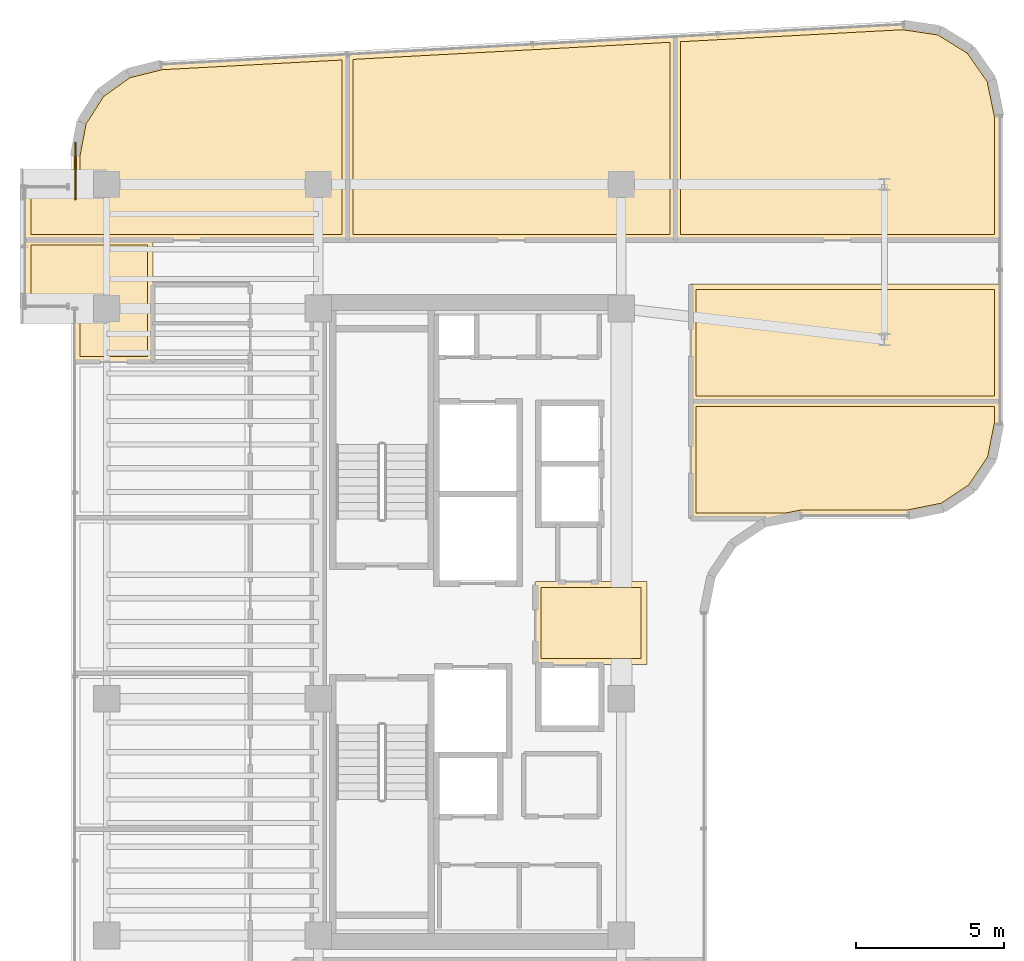
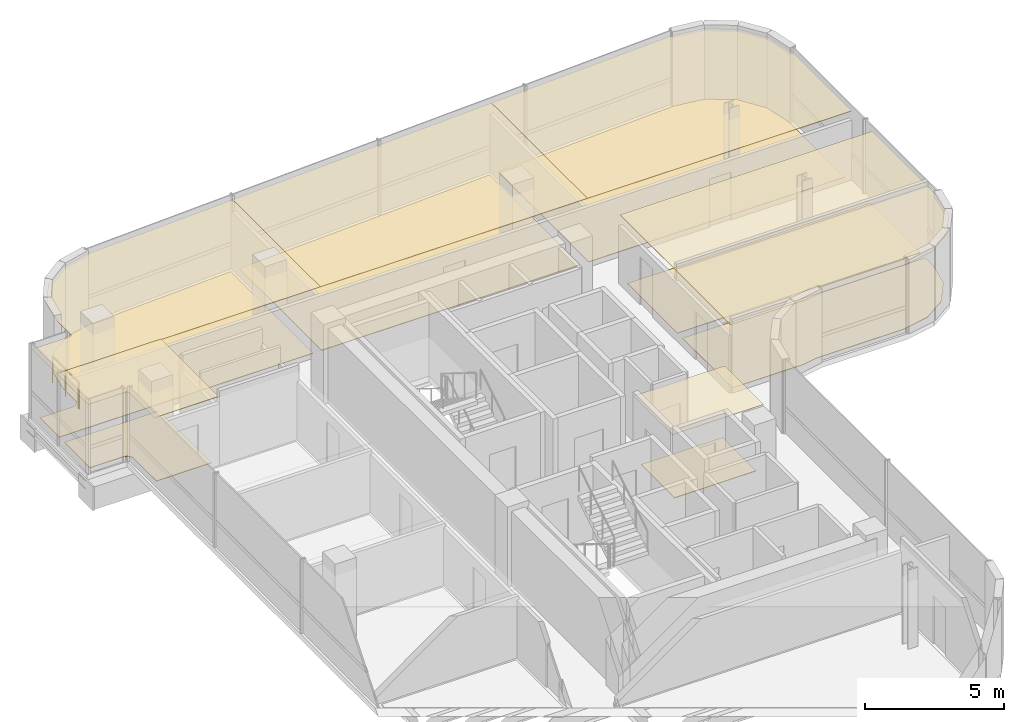
# One storey, part 21 of 21: 14 coverings, 1 railing.
"""IFC4 building model written with IfcOpenShell, lengths in metres."""

from ifc_helpers import new_model, si_unit, direction, frame, origin, origin_2d, place, context, subcontext, project, spatial, polyline, circle, outline, extrude, material, layer, layer_set, type_object, element, save


model = new_model("IFC4")

# Units and contexts
model_context = context("Model", 3, precision=1e-05, world=origin(), true_north=direction((0.0, 1.0)))
body_context = subcontext(model_context, "Body", "Model", "MODEL_VIEW")
ifc_project = project(units=[si_unit("LENGTHUNIT", "METRE"), si_unit("AREAUNIT", "SQUARE_METRE"), si_unit("VOLUMEUNIT", "CUBIC_METRE"), si_unit("PLANEANGLEUNIT", "RADIAN"), si_unit("MASSUNIT", "GRAM", prefix="KILO")], contexts=[model_context])

# Site, building, storey
site_placement = place(None, origin())
site = spatial("IfcSite", under=ifc_project, at=site_placement, CompositionType="ELEMENT")
building_placement = place(site_placement, origin())
building = spatial("IfcBuilding", under=site, at=building_placement, Name="Valdorenza Pilgrim Sanctuary Tower", CompositionType="ELEMENT")
storey_placement = place(building_placement, frame((0.0, 0.0, 223.0)))
storey = spatial("IfcBuildingStorey", under=building, at=storey_placement, Name="L57", CompositionType="ELEMENT", Elevation=223.0)

# Coverings
ifc_material_1 = material(Name="Micro-perforated acoustic mineral ceiling tile", Category="gypsum")
ifc_layer_1 = layer(ifc_material_1, 0.02490234375, Name="Micro-perforated acoustic mineral ceiling tile")
ifc_layer_set_1 = layer_set([ifc_layer_1], Name="Micro-perforated acoustic mineral ceiling tile")
covering_type_1 = type_object("IfcCoveringType", Name="COV-CLG-ACU", PredefinedType="CEILING", material=ifc_layer_set_1)
covering_1_placement = place(storey_placement, frame((0.0, 0.0, 2.9599609375)))
element("IfcCovering", 1, at=covering_1_placement, inside=storey, type_object=covering_type_1, Name="L57 Core A Passenger Lift Lobby Acoustic Ceiling", PredefinedType="CEILING", context=body_context, shape_type="SweptSolid", body=[
    extrude(outline(polyline([(-15.31494140625, 1.35009765625), (-15.31494140625, 1.3515625), (-15.314697265625, 1.352783203125), (-15.314453125, 1.3544921875), (-15.31396484375, 1.355712890625), (-15.313232421875, 1.357177734375), (-15.3125, 1.3583984375), (-15.3115234375, 1.359619140625), (-15.310546875, 1.360595703125), (-15.3095703125, 1.361572265625), (-15.308349609375, 1.362548828125), (-15.30712890625, 1.36328125), (-15.3056640625, 1.364013671875), (-15.304443359375, 1.364501953125), (-15.302978515625, 1.36474609375), (-15.301513671875, 1.364990234375), (-15.300048828125, 1.364990234375), (-11.550048828125, 1.364990234375), (-11.548583984375, 1.364990234375), (-11.547119140625, 1.36474609375), (-11.545654296875, 1.364501953125), (-11.544189453125, 1.364013671875), (-11.54296875, 1.36328125), (-11.541748046875, 1.362548828125), (-11.54052734375, 1.361572265625), (-11.539306640625, 1.360595703125), (-11.538330078125, 1.359619140625), (-11.53759765625, 1.3583984375), (-11.536865234375, 1.357177734375), (-11.5361328125, 1.355712890625), (-11.53564453125, 1.3544921875), (-11.535400390625, 1.352783203125), (-11.53515625, 1.3515625), (-11.534912109375, 1.35009765625), (-11.534912109375, -1.419921875), (-11.53515625, -1.42138671875), (-11.535400390625, -1.4228515625), (-11.53564453125, -1.42431640625), (-11.5361328125, -1.42578125), (-11.536865234375, -1.427001953125), (-11.53759765625, -1.42822265625), (-11.538330078125, -1.429443359375), (-11.539306640625, -1.4306640625), (-11.54052734375, -1.431640625), (-11.541748046875, -1.4326171875), (-11.54296875, -1.43310546875), (-11.544189453125, -1.433837890625), (-11.545654296875, -1.434326171875), (-11.547119140625, -1.434814453125), (-11.548583984375, -1.434814453125), (-11.550048828125, -1.43505859375), (-15.298095703125, -1.43505859375), (-15.299560546875, -1.434814453125), (-15.30078125, -1.434814453125), (-15.302490234375, -1.434326171875), (-15.3037109375, -1.433837890625), (-15.30517578125, -1.43310546875), (-15.306396484375, -1.4326171875), (-15.3076171875, -1.431640625), (-15.30859375, -1.4306640625), (-15.3095703125, -1.429443359375), (-15.310546875, -1.42822265625), (-15.311279296875, -1.427001953125), (-15.31201171875, -1.42578125), (-15.3125, -1.42431640625), (-15.312744140625, -1.4228515625), (-15.31298828125, -1.42138671875), (-15.31298828125, -1.419921875), (-15.31298828125, 1.244384765625), (-15.31298828125, 1.24462890625), (-15.313720703125, 1.24609375), (-15.314208984375, 1.24755859375), (-15.314697265625, 1.2490234375), (-15.31494140625, 1.25048828125), (-15.31494140625, 1.251953125), (-15.31494140625, 1.35009765625)])), origin(), (0.0, 0.0, 1.0), 0.025146484375),
])
covering_2_placement = place(storey_placement, frame((0.0, 0.0, 2.9599609375)))
element("IfcCovering", 2, at=covering_2_placement, inside=storey, type_object=covering_type_1, Name="L57 Pilgrim Scholar Office L57-WN Acoustic Ceiling", PredefinedType="CEILING", context=body_context, shape_type="SweptSolid", body=[
    extrude(outline(polyline([(-28.237060546875, 11.39453125), (-28.237060546875, 10.103759765625), (-28.23681640625, 10.10302734375), (-28.23681640625, 10.1015625), (-28.23681640625, 10.10009765625), (-28.23681640625, 10.098388671875), (-28.237060546875, 10.09814453125), (-28.237060546875, 8.800048828125), (-28.237060546875, 8.798583984375), (-28.2373046875, 8.797119140625), (-28.237548828125, 8.795654296875), (-28.238037109375, 8.794189453125), (-28.23876953125, 8.79296875), (-28.239501953125, 8.791748046875), (-28.240478515625, 8.79052734375), (-28.241455078125, 8.789306640625), (-28.242431640625, 8.788330078125), (-28.24365234375, 8.78759765625), (-28.244873046875, 8.786865234375), (-28.246337890625, 8.7861328125), (-28.24755859375, 8.78564453125), (-28.2490234375, 8.785400390625), (-28.25048828125, 8.78515625), (-28.251953125, 8.784912109375), (-30.889892578125, 8.784912109375), (-30.8916015625, 8.78515625), (-30.892822265625, 8.785400390625), (-30.894287109375, 8.78564453125), (-30.895751953125, 8.7861328125), (-30.897216796875, 8.786865234375), (-30.898193359375, 8.78759765625), (-30.8994140625, 8.788330078125), (-30.900634765625, 8.789306640625), (-30.901611328125, 8.79052734375), (-30.902587890625, 8.791748046875), (-30.9033203125, 8.79296875), (-30.90380859375, 8.794189453125), (-30.904296875, 8.795654296875), (-30.90478515625, 8.797119140625), (-30.90478515625, 8.798583984375), (-30.905029296875, 8.800048828125), (-30.905029296875, 10.599609375), (-30.905517578125, 10.609375), (-30.90673828125, 10.618408203125), (-30.9091796875, 10.627685546875), (-30.912109375, 10.63623046875), (-30.916259765625, 10.644775390625), (-30.9208984375, 10.65283203125), (-30.926513671875, 10.660400390625), (-30.932861328125, 10.667236328125), (-30.939697265625, 10.67333984375), (-30.947265625, 10.678955078125), (-30.955078125, 10.683837890625), (-30.963623046875, 10.687744140625), (-30.972412109375, 10.69091796875), (-30.9814453125, 10.693115234375), (-30.99072265625, 10.694580078125), (-31.00048828125, 10.695068359375), (-32.5400390625, 10.695068359375), (-32.54150390625, 10.695068359375), (-32.54296875, 10.6953125), (-32.54443359375, 10.695556640625), (-32.545654296875, 10.696044921875), (-32.547119140625, 10.69677734375), (-32.54833984375, 10.697509765625), (-32.549560546875, 10.698486328125), (-32.550537109375, 10.699462890625), (-32.551513671875, 10.700439453125), (-32.552490234375, 10.70166015625), (-32.55322265625, 10.702880859375), (-32.553955078125, 10.704345703125), (-32.554443359375, 10.70556640625), (-32.5546875, 10.70703125), (-32.554931640625, 10.70849609375), (-32.554931640625, 10.7099609375), (-32.554931640625, 12.919921875), (-32.554931640625, 12.92138671875), (-32.5546875, 12.9228515625), (-32.554443359375, 12.92431640625), (-32.553955078125, 12.92578125), (-32.55322265625, 12.927001953125), (-32.552490234375, 12.92822265625), (-32.551513671875, 12.929443359375), (-32.550537109375, 12.9306640625), (-32.549560546875, 12.931640625), (-32.54833984375, 12.9326171875), (-32.547119140625, 12.93310546875), (-32.545654296875, 12.933837890625), (-32.54443359375, 12.934326171875), (-32.54296875, 12.934814453125), (-32.54150390625, 12.934814453125), (-32.5400390625, 12.93505859375), (-28.25, 12.93505859375), (-28.24853515625, 12.934814453125), (-28.2470703125, 12.934814453125), (-28.24560546875, 12.934326171875), (-28.244384765625, 12.933837890625), (-28.242919921875, 12.93310546875), (-28.24169921875, 12.9326171875), (-28.240478515625, 12.931640625), (-28.239501953125, 12.9306640625), (-28.23828125, 12.929443359375), (-28.237548828125, 12.92822265625), (-28.23681640625, 12.927001953125), (-28.236083984375, 12.92578125), (-28.235595703125, 12.92431640625), (-28.2353515625, 12.9228515625), (-28.235107421875, 12.92138671875), (-28.235107421875, 12.919921875), (-28.235107421875, 11.402099609375), (-28.235107421875, 11.400390625), (-28.2353515625, 11.39892578125), (-28.235595703125, 11.3974609375), (-28.236083984375, 11.39599609375), (-28.23681640625, 11.394775390625), (-28.237060546875, 11.39453125)])), origin(), (0.0, 0.0, 1.0), 0.025146484375),
])
covering_3_placement = place(storey_placement, frame((0.0, 0.0, 2.9599609375)))
element("IfcCovering", 3, at=covering_3_placement, inside=storey, type_object=covering_type_1, Name="L57 Sanctuary Administration Office L57-N1 Acoustic Ceiling", PredefinedType="CEILING", context=body_context, shape_type="SweptSolid", body=[
    extrude(outline(polyline([(-28.25537109375, 12.906982421875), (-32.5400390625, 12.906982421875), (-32.54150390625, 12.906982421875), (-32.54296875, 12.9072265625), (-32.54443359375, 12.90771484375), (-32.545654296875, 12.908203125), (-32.547119140625, 12.90869140625), (-32.54833984375, 12.909423828125), (-32.549560546875, 12.910400390625), (-32.550537109375, 12.911376953125), (-32.551513671875, 12.91259765625), (-32.552490234375, 12.913818359375), (-32.55322265625, 12.914794921875), (-32.553955078125, 12.916259765625), (-32.554443359375, 12.91748046875), (-32.5546875, 12.919189453125), (-32.554931640625, 12.92041015625), (-32.554931640625, 12.922119140625), (-32.554931640625, 14.68994140625), (-32.554931640625, 14.69140625), (-32.5546875, 14.69287109375), (-32.554443359375, 14.6943359375), (-32.553955078125, 14.69580078125), (-32.55322265625, 14.697021484375), (-32.552490234375, 14.6982421875), (-32.551513671875, 14.699462890625), (-32.550537109375, 14.70068359375), (-32.549560546875, 14.70166015625), (-32.54833984375, 14.702392578125), (-32.547119140625, 14.703125), (-32.545654296875, 14.703857421875), (-32.54443359375, 14.704345703125), (-32.54296875, 14.70458984375), (-32.54150390625, 14.704833984375), (-32.5400390625, 14.705078125), (-31.00048828125, 14.705078125), (-30.99072265625, 14.70556640625), (-30.9814453125, 14.706787109375), (-30.972412109375, 14.708984375), (-30.963623046875, 14.712158203125), (-30.955078125, 14.71630859375), (-30.947265625, 14.720947265625), (-30.939697265625, 14.7265625), (-30.932861328125, 14.73291015625), (-30.926513671875, 14.73974609375), (-30.9208984375, 14.747314453125), (-30.916259765625, 14.755126953125), (-30.912109375, 14.763671875), (-30.9091796875, 14.7724609375), (-30.90673828125, 14.781494140625), (-30.905517578125, 14.790771484375), (-30.905029296875, 14.80029296875), (-30.905029296875, 15.757568359375), (-30.90478515625, 15.759033203125), (-30.90478515625, 15.760498046875), (-30.683349609375, 16.9140625), (-30.68310546875, 16.915283203125), (-30.6826171875, 16.916748046875), (-30.681884765625, 16.918212890625), (-30.681396484375, 16.919189453125), (-30.05419921875, 17.89990234375), (-30.053466796875, 17.901123046875), (-30.052490234375, 17.90234375), (-30.051513671875, 17.9033203125), (-30.05029296875, 17.904052734375), (-29.104736328125, 18.5830078125), (-29.103515625, 18.583740234375), (-29.102294921875, 18.58447265625), (-29.10107421875, 18.5849609375), (-29.099609375, 18.58544921875), (-27.959716796875, 18.86865234375), (-27.958251953125, 18.868896484375), (-27.956787109375, 18.869140625), (-21.660888671875, 19.208984375), (-21.659423828125, 19.208984375), (-21.657958984375, 19.208740234375), (-21.656494140625, 19.20849609375), (-21.6552734375, 19.2080078125), (-21.65380859375, 19.20751953125), (-21.652587890625, 19.206787109375), (-21.6513671875, 19.206298828125), (-21.650146484375, 19.205322265625), (-21.649169921875, 19.204345703125), (-21.648193359375, 19.203125), (-21.6474609375, 19.201904296875), (-21.646728515625, 19.20068359375), (-21.64599609375, 19.199462890625), (-21.6455078125, 19.1982421875), (-21.645263671875, 19.19677734375), (-21.64501953125, 19.1953125), (-21.64501953125, 19.19384765625), (-21.64501953125, 12.919921875), (-21.64501953125, 12.91845703125), (-21.645263671875, 12.9169921875), (-21.6455078125, 12.91552734375), (-21.64599609375, 12.914306640625), (-21.646728515625, 12.912841796875), (-21.6474609375, 12.91162109375), (-21.6484375, 12.910400390625), (-21.6494140625, 12.909423828125), (-21.650390625, 12.908447265625), (-21.651611328125, 12.907470703125), (-21.65283203125, 12.90673828125), (-21.654296875, 12.906005859375), (-21.655517578125, 12.905517578125), (-21.656982421875, 12.9052734375), (-21.658447265625, 12.905029296875), (-21.659912109375, 12.905029296875), (-28.248046875, 12.905029296875), (-28.24951171875, 12.905029296875), (-28.250732421875, 12.9052734375), (-28.252197265625, 12.905517578125), (-28.253662109375, 12.906005859375), (-28.2548828125, 12.90673828125), (-28.25537109375, 12.906982421875)])), origin(), (0.0, 0.0, 1.0), 0.025146484375),
])
covering_4_placement = place(storey_placement, frame((0.0, 0.0, 2.9599609375)))
element("IfcCovering", 4, at=covering_4_placement, inside=storey, type_object=covering_type_1, Name="L57 Sanctuary Administration Office L57-N2 Acoustic Ceiling", PredefinedType="CEILING", context=body_context, shape_type="SweptSolid", body=[
    extrude(outline(polyline([(-21.673095703125, 19.19384765625), (-21.673095703125, 19.19482421875), (-21.6728515625, 19.1962890625), (-21.672607421875, 19.19775390625), (-21.672119140625, 19.19921875), (-21.671630859375, 19.200439453125), (-21.6708984375, 19.20166015625), (-21.670166015625, 19.202880859375), (-21.669189453125, 19.2041015625), (-21.668212890625, 19.205078125), (-21.6669921875, 19.2060546875), (-21.665771484375, 19.206787109375), (-21.66455078125, 19.20751953125), (-21.6630859375, 19.2080078125), (-21.66162109375, 19.20849609375), (-21.660400390625, 19.208740234375), (-21.65869140625, 19.208984375), (-10.580810546875, 19.806884765625), (-10.579345703125, 19.806884765625), (-10.577880859375, 19.806640625), (-10.576416015625, 19.806396484375), (-10.5751953125, 19.80615234375), (-10.57373046875, 19.805419921875), (-10.572509765625, 19.804931640625), (-10.5712890625, 19.80419921875), (-10.5703125, 19.80322265625), (-10.569091796875, 19.80224609375), (-10.568115234375, 19.80126953125), (-10.5673828125, 19.800048828125), (-10.566650390625, 19.798828125), (-10.566162109375, 19.797607421875), (-10.565673828125, 19.796142578125), (-10.565185546875, 19.794677734375), (-10.565185546875, 19.793212890625), (-10.56494140625, 19.7919921875), (-10.56494140625, 12.919921875), (-10.565185546875, 12.91845703125), (-10.565185546875, 12.9169921875), (-10.565673828125, 12.91552734375), (-10.566162109375, 12.914306640625), (-10.56689453125, 12.912841796875), (-10.5673828125, 12.91162109375), (-10.568359375, 12.910400390625), (-10.5693359375, 12.909423828125), (-10.570556640625, 12.908447265625), (-10.57177734375, 12.907470703125), (-10.572998046875, 12.90673828125), (-10.57421875, 12.906005859375), (-10.57568359375, 12.905517578125), (-10.5771484375, 12.9052734375), (-10.57861328125, 12.905029296875), (-10.580078125, 12.905029296875), (-21.657958984375, 12.905029296875), (-21.659423828125, 12.905029296875), (-21.660888671875, 12.9052734375), (-21.662353515625, 12.905517578125), (-21.663818359375, 12.906005859375), (-21.6650390625, 12.90673828125), (-21.666259765625, 12.907470703125), (-21.66748046875, 12.908447265625), (-21.668701171875, 12.909423828125), (-21.669677734375, 12.910400390625), (-21.67041015625, 12.91162109375), (-21.671142578125, 12.912841796875), (-21.671875, 12.914306640625), (-21.67236328125, 12.91552734375), (-21.672607421875, 12.9169921875), (-21.6728515625, 12.91845703125), (-21.673095703125, 12.919921875), (-21.673095703125, 19.19384765625), (-21.673095703125, 19.19384765625)])), origin(), (0.0, 0.0, 1.0), 0.025146484375),
])
covering_5_placement = place(storey_placement, frame((0.0, 0.0, 2.9599609375)))
element("IfcCovering", 5, at=covering_5_placement, inside=storey, type_object=covering_type_1, Name="L57 Sanctuary Administration Office L57-N3 Acoustic Ceiling", PredefinedType="CEILING", context=body_context, shape_type="SweptSolid", body=[
    extrude(outline(polyline([(-10.593017578125, 19.7919921875), (-10.593017578125, 19.792724609375), (-10.5927734375, 19.794189453125), (-10.592529296875, 19.795654296875), (-10.592041015625, 19.797119140625), (-10.591552734375, 19.79833984375), (-10.5908203125, 19.7998046875), (-10.590087890625, 19.80078125), (-10.589111328125, 19.802001953125), (-10.588134765625, 19.802978515625), (-10.5869140625, 19.803955078125), (-10.585693359375, 19.8046875), (-10.58447265625, 19.805419921875), (-10.5830078125, 19.80615234375), (-10.581787109375, 19.806396484375), (-10.580322265625, 19.806884765625), (-10.578857421875, 19.806884765625), (-2.87841796875, 20.222412109375), (-2.876953125, 20.222412109375), (-2.87548828125, 20.222412109375), (-1.63232421875, 20.035400390625), (-1.630859375, 20.03515625), (-1.62939453125, 20.034912109375), (-1.628173828125, 20.0341796875), (-1.626708984375, 20.033447265625), (-0.568359375, 19.376708984375), (-0.567138671875, 19.3759765625), (-0.56591796875, 19.375), (-0.56494140625, 19.373779296875), (-0.56396484375, 19.372802734375), (0.148681640625, 18.351318359375), (0.1494140625, 18.349853515625), (0.150146484375, 18.3486328125), (0.150634765625, 18.34716796875), (0.151123046875, 18.345703125), (0.40478515625, 17.114501953125), (0.40478515625, 17.11279296875), (0.405029296875, 17.111328125), (0.405029296875, 12.919921875), (0.40478515625, 12.91845703125), (0.40478515625, 12.9169921875), (0.404296875, 12.91552734375), (0.40380859375, 12.914306640625), (0.4033203125, 12.912841796875), (0.402587890625, 12.91162109375), (0.401611328125, 12.910400390625), (0.400634765625, 12.909423828125), (0.3994140625, 12.908447265625), (0.398193359375, 12.907470703125), (0.397216796875, 12.90673828125), (0.395751953125, 12.906005859375), (0.394287109375, 12.905517578125), (0.392822265625, 12.9052734375), (0.3916015625, 12.905029296875), (0.389892578125, 12.905029296875), (-10.577880859375, 12.905029296875), (-10.57958984375, 12.905029296875), (-10.580810546875, 12.9052734375), (-10.58251953125, 12.905517578125), (-10.583740234375, 12.906005859375), (-10.585205078125, 12.90673828125), (-10.586181640625, 12.907470703125), (-10.58740234375, 12.908447265625), (-10.588623046875, 12.909423828125), (-10.589599609375, 12.910400390625), (-10.590576171875, 12.91162109375), (-10.59130859375, 12.912841796875), (-10.591796875, 12.914306640625), (-10.59228515625, 12.91552734375), (-10.5927734375, 12.9169921875), (-10.593017578125, 12.91845703125), (-10.593017578125, 12.919921875), (-10.593017578125, 19.7919921875), (-10.593017578125, 19.7919921875)])), origin(), (0.0, 0.0, 1.0), 0.025146484375),
])
covering_6_placement = place(storey_placement, frame((0.0, 0.0, 2.9599609375)))
element("IfcCovering", 6, at=covering_6_placement, inside=storey, type_object=covering_type_1, Name="L57 Pilgrim Scholar Office L57-E1 Acoustic Ceiling", PredefinedType="CEILING", context=body_context, shape_type="SweptSolid", body=[
    extrude(outline(polyline([(-10.06494140625, 7.4599609375), (-10.06494140625, 7.46142578125), (-10.064697265625, 7.462890625), (-10.064453125, 7.46435546875), (-10.06396484375, 7.4658203125), (-10.063232421875, 7.467041015625), (-10.0625, 7.46826171875), (-10.0615234375, 7.469482421875), (-10.060546875, 7.470703125), (-10.0595703125, 7.4716796875), (-10.058349609375, 7.472412109375), (-10.05712890625, 7.47314453125), (-10.0556640625, 7.473876953125), (-10.054443359375, 7.474365234375), (-10.052978515625, 7.474609375), (-10.051513671875, 7.474853515625), (-10.050048828125, 7.47509765625), (0.389892578125, 7.47509765625), (0.3916015625, 7.474853515625), (0.392822265625, 7.474609375), (0.394287109375, 7.474365234375), (0.395751953125, 7.473876953125), (0.397216796875, 7.47314453125), (0.398193359375, 7.472412109375), (0.3994140625, 7.4716796875), (0.400634765625, 7.470703125), (0.401611328125, 7.469482421875), (0.402587890625, 7.46826171875), (0.4033203125, 7.467041015625), (0.40380859375, 7.4658203125), (0.404296875, 7.46435546875), (0.40478515625, 7.462890625), (0.40478515625, 7.46142578125), (0.405029296875, 7.4599609375), (0.405029296875, 6.710693359375), (0.40478515625, 6.70947265625), (0.40478515625, 6.7080078125), (0.16748046875, 5.515380859375), (0.1669921875, 5.513916015625), (0.16650390625, 5.5126953125), (0.166015625, 5.51123046875), (0.165283203125, 5.510009765625), (-0.504150390625, 4.50830078125), (-0.5048828125, 4.507080078125), (-0.506103515625, 4.506103515625), (-0.507080078125, 4.5048828125), (-0.50830078125, 4.504150390625), (-1.510009765625, 3.834716796875), (-1.51123046875, 3.833984375), (-1.5126953125, 3.83349609375), (-1.513916015625, 3.8330078125), (-1.515380859375, 3.83251953125), (-2.7080078125, 3.59521484375), (-2.70947265625, 3.59521484375), (-2.710693359375, 3.594970703125), (-6.299560546875, 3.594970703125), (-6.309326171875, 3.594482421875), (-6.31884765625, 3.593017578125), (-6.86083984375, 3.4853515625), (-6.8623046875, 3.485107421875), (-6.86376953125, 3.485107421875), (-10.050048828125, 3.485107421875), (-10.051513671875, 3.485107421875), (-10.052978515625, 3.4853515625), (-10.054443359375, 3.485595703125), (-10.0556640625, 3.486083984375), (-10.05712890625, 3.48681640625), (-10.058349609375, 3.487548828125), (-10.0595703125, 3.48828125), (-10.060546875, 3.489501953125), (-10.0615234375, 3.490478515625), (-10.0625, 3.49169921875), (-10.063232421875, 3.492919921875), (-10.06396484375, 3.494384765625), (-10.064453125, 3.49560546875), (-10.064697265625, 3.4970703125), (-10.06494140625, 3.49853515625), (-10.06494140625, 3.5), (-10.06494140625, 7.4599609375)])), origin(), (0.0, 0.0, 1.0), 0.025146484375),
])
covering_7_placement = place(storey_placement, frame((0.0, 0.0, 2.9599609375)))
element("IfcCovering", 7, at=covering_7_placement, inside=storey, type_object=covering_type_1, Name="L57 Pilgrim Scholar Office L57-E2 Acoustic Ceiling", PredefinedType="CEILING", context=body_context, shape_type="SweptSolid", body=[
    extrude(outline(polyline([(-10.06494140625, 11.419921875), (-10.06494140625, 11.42138671875), (-10.064697265625, 11.4228515625), (-10.064453125, 11.42431640625), (-10.06396484375, 11.42578125), (-10.063232421875, 11.427001953125), (-10.0625, 11.42822265625), (-10.0615234375, 11.429443359375), (-10.060546875, 11.4306640625), (-10.0595703125, 11.431640625), (-10.058349609375, 11.4326171875), (-10.05712890625, 11.43310546875), (-10.0556640625, 11.433837890625), (-10.054443359375, 11.434326171875), (-10.052978515625, 11.434814453125), (-10.051513671875, 11.434814453125), (-10.050048828125, 11.43505859375), (0.389892578125, 11.43505859375), (0.3916015625, 11.434814453125), (0.392822265625, 11.434814453125), (0.394287109375, 11.434326171875), (0.395751953125, 11.433837890625), (0.397216796875, 11.43310546875), (0.398193359375, 11.4326171875), (0.3994140625, 11.431640625), (0.400634765625, 11.4306640625), (0.401611328125, 11.429443359375), (0.402587890625, 11.42822265625), (0.4033203125, 11.427001953125), (0.40380859375, 11.42578125), (0.404296875, 11.42431640625), (0.40478515625, 11.4228515625), (0.40478515625, 11.42138671875), (0.405029296875, 11.419921875), (0.405029296875, 7.4619140625), (0.40478515625, 7.46044921875), (0.40478515625, 7.458984375), (0.404296875, 7.45751953125), (0.40380859375, 7.456298828125), (0.4033203125, 7.454833984375), (0.402587890625, 7.45361328125), (0.401611328125, 7.452392578125), (0.400634765625, 7.451416015625), (0.3994140625, 7.450439453125), (0.398193359375, 7.449462890625), (0.397216796875, 7.44873046875), (0.395751953125, 7.447998046875), (0.394287109375, 7.447509765625), (0.392822265625, 7.447265625), (0.3916015625, 7.447021484375), (0.389892578125, 7.447021484375), (-10.050048828125, 7.447021484375), (-10.051513671875, 7.447021484375), (-10.052978515625, 7.447265625), (-10.054443359375, 7.447509765625), (-10.0556640625, 7.447998046875), (-10.05712890625, 7.44873046875), (-10.058349609375, 7.449462890625), (-10.0595703125, 7.450439453125), (-10.060546875, 7.451416015625), (-10.0615234375, 7.452392578125), (-10.0625, 7.45361328125), (-10.063232421875, 7.454833984375), (-10.06396484375, 7.456298828125), (-10.064453125, 7.45751953125), (-10.064697265625, 7.458984375), (-10.06494140625, 7.46044921875), (-10.06494140625, 7.4619140625), (-10.06494140625, 11.419921875)])), origin(), (0.0, 0.0, 1.0), 0.025146484375),
])
ifc_material_2 = material(Name="Honed travertine stone flooring", Category="masonry")
ifc_layer_2 = layer(ifc_material_2, 0.030029296875, Name="Honed travertine stone flooring")
ifc_layer_set_2 = layer_set([ifc_layer_2], Name="Honed travertine stone flooring")
covering_type_2 = type_object("IfcCoveringType", Name="COV-FLR-TRV", PredefinedType="FLOORING", material=ifc_layer_set_2)
covering_8_placement = place(storey_placement, origin())
element("IfcCovering", 8, at=covering_8_placement, inside=storey, type_object=covering_type_2, Name="L57 Core A Passenger Lift Lobby Flooring", PredefinedType="FLOORING", context=body_context, shape_type="SweptSolid", body=[
    extrude(outline(polyline([(-15.117919921875, 1.169921875), (-11.72998046875, 1.169921875), (-11.72998046875, -1.239990234375), (-15.117919921875, -1.239990234375), (-15.117919921875, 1.169921875)])), origin(), (0.0, 0.0, 1.0), 0.02490234375),
])
covering_9_placement = place(storey_placement, origin())
element("IfcCovering", 9, at=covering_9_placement, inside=storey, type_object=covering_type_2, Name="L57 Pilgrim Scholar Office L57-WN Flooring", PredefinedType="FLOORING", context=body_context, shape_type="SweptSolid", body=[
    extrude(outline(polyline([(-28.431884765625, 10.100341796875), (-28.431884765625, 10.10009765625), (-28.431884765625, 8.97998046875), (-30.7099609375, 8.97998046875), (-30.7099609375, 10.60009765625), (-30.710205078125, 10.60888671875), (-30.710693359375, 10.61962890625), (-30.71240234375, 10.63720703125), (-30.714111328125, 10.64794921875), (-30.717529296875, 10.665283203125), (-30.72021484375, 10.67578125), (-30.725341796875, 10.692626953125), (-30.72900390625, 10.70263671875), (-30.735595703125, 10.718994140625), (-30.740234375, 10.728759765625), (-30.74853515625, 10.744384765625), (-30.754150390625, 10.753662109375), (-30.763916015625, 10.768310546875), (-30.7705078125, 10.777099609375), (-30.781494140625, 10.790771484375), (-30.788818359375, 10.798583984375), (-30.80126953125, 10.811279296875), (-30.809326171875, 10.818359375), (-30.822998046875, 10.82958984375), (-30.831787109375, 10.8359375), (-30.84619140625, 10.845947265625), (-30.855712890625, 10.851318359375), (-30.87109375, 10.859619140625), (-30.880859375, 10.8642578125), (-30.897216796875, 10.87109375), (-30.907470703125, 10.874755859375), (-30.92431640625, 10.8798828125), (-30.934814453125, 10.882568359375), (-30.9521484375, 10.885986328125), (-30.962890625, 10.887451171875), (-30.98046875, 10.889404296875), (-30.9912109375, 10.889892578125), (-31.0, 10.889892578125), (-32.360107421875, 10.889892578125), (-32.360107421875, 12.739990234375), (-28.429931640625, 12.739990234375), (-28.429931640625, 11.427001953125), (-28.429931640625, 11.4267578125), (-28.429931640625, 11.426513671875), (-28.431884765625, 11.408935546875), (-28.431884765625, 11.40869140625), (-28.431884765625, 11.39990234375), (-28.431884765625, 10.10205078125), (-28.431884765625, 10.10107421875), (-28.431884765625, 10.100341796875)])), origin(), (0.0, 0.0, 1.0), 0.02490234375),
])
covering_10_placement = place(storey_placement, origin())
element("IfcCovering", 10, at=covering_10_placement, inside=storey, type_object=covering_type_2, Name="L57 Sanctuary Administration Office L57-N1 Flooring", PredefinedType="FLOORING", context=body_context, shape_type="SweptSolid", body=[
    extrude(outline(polyline([(-28.22314453125, 13.10009765625), (-28.22314453125, 13.10009765625), (-28.223388671875, 13.10009765625), (-28.240966796875, 13.101806640625), (-28.2412109375, 13.101806640625), (-28.25, 13.10205078125), (-32.360107421875, 13.10205078125), (-32.360107421875, 14.510009765625), (-31.0, 14.510009765625), (-30.9912109375, 14.51025390625), (-30.98046875, 14.5107421875), (-30.962890625, 14.512451171875), (-30.9521484375, 14.51416015625), (-30.934814453125, 14.517578125), (-30.92431640625, 14.52001953125), (-30.907470703125, 14.525390625), (-30.897216796875, 14.52880859375), (-30.880859375, 14.53564453125), (-30.87109375, 14.540283203125), (-30.855712890625, 14.548583984375), (-30.84619140625, 14.55419921875), (-30.831787109375, 14.56396484375), (-30.822998046875, 14.5703125), (-30.809326171875, 14.58154296875), (-30.80126953125, 14.5888671875), (-30.788818359375, 14.601318359375), (-30.781494140625, 14.609375), (-30.7705078125, 14.623046875), (-30.763916015625, 14.631591796875), (-30.754150390625, 14.646240234375), (-30.74853515625, 14.655517578125), (-30.740234375, 14.671142578125), (-30.735595703125, 14.680908203125), (-30.72900390625, 14.697265625), (-30.725341796875, 14.70751953125), (-30.72021484375, 14.724365234375), (-30.717529296875, 14.73486328125), (-30.714111328125, 14.752197265625), (-30.71240234375, 14.7626953125), (-30.710693359375, 14.780517578125), (-30.710205078125, 14.791259765625), (-30.7099609375, 14.800048828125), (-30.7099609375, 15.740478515625), (-30.498291015625, 16.843505859375), (-29.90869140625, 17.765869140625), (-29.019287109375, 18.404541015625), (-27.92919921875, 18.67529296875), (-21.840087890625, 19.00390625), (-21.840087890625, 13.10009765625), (-28.22314453125, 13.10009765625)])), origin(), (0.0, 0.0, 1.0), 0.02490234375),
])
covering_11_placement = place(storey_placement, origin())
element("IfcCovering", 11, at=covering_11_placement, inside=storey, type_object=covering_type_2, Name="L57 Sanctuary Administration Office L57-N2 Flooring", PredefinedType="FLOORING", context=body_context, shape_type="SweptSolid", body=[
    extrude(outline(polyline([(-21.47802734375, 13.10009765625), (-21.47802734375, 19.0234375), (-10.760009765625, 19.601806640625), (-10.760009765625, 13.10009765625), (-21.47802734375, 13.10009765625)])), origin(), (0.0, 0.0, 1.0), 0.02490234375),
])
covering_12_placement = place(storey_placement, origin())
element("IfcCovering", 12, at=covering_12_placement, inside=storey, type_object=covering_type_2, Name="L57 Sanctuary Administration Office L57-N3 Flooring", PredefinedType="FLOORING", context=body_context, shape_type="SweptSolid", body=[
    extrude(outline(polyline([(-2.88623046875, 20.02685546875), (-1.697998046875, 19.84814453125), (-0.70263671875, 19.230712890625), (-0.032470703125, 18.27001953125), (0.2099609375, 17.093017578125), (0.2099609375, 13.10009765625), (-10.39794921875, 13.10009765625), (-10.39794921875, 19.621337890625), (-2.88623046875, 20.02685546875)])), origin(), (0.0, 0.0, 1.0), 0.02490234375),
])
covering_13_placement = place(storey_placement, origin())
element("IfcCovering", 13, at=covering_13_placement, inside=storey, type_object=covering_type_2, Name="L57 Pilgrim Scholar Office L57-E1 Flooring", PredefinedType="FLOORING", context=body_context, shape_type="SweptSolid", body=[
    extrude(outline(polyline([(-9.8701171875, 7.280029296875), (0.2099609375, 7.280029296875), (0.2099609375, 6.728515625), (-0.016845703125, 5.588623046875), (-0.646484375, 4.646484375), (-1.588623046875, 4.016845703125), (-2.728515625, 3.7900390625), (-6.300048828125, 3.7900390625), (-6.308837890625, 3.789794921875), (-6.319580078125, 3.789306640625), (-6.337158203125, 3.78759765625), (-6.347900390625, 3.785888671875), (-6.356689453125, 3.784423828125), (-6.881591796875, 3.679931640625), (-9.8701171875, 3.679931640625), (-9.8701171875, 7.280029296875)])), origin(), (0.0, 0.0, 1.0), 0.02490234375),
])
covering_14_placement = place(storey_placement, origin())
element("IfcCovering", 14, at=covering_14_placement, inside=storey, type_object=covering_type_2, Name="L57 Pilgrim Scholar Office L57-E2 Flooring", PredefinedType="FLOORING", context=body_context, shape_type="SweptSolid", body=[
    extrude(outline(polyline([(-9.8701171875, 11.239990234375), (0.2099609375, 11.239990234375), (0.2099609375, 7.64208984375), (-9.8701171875, 7.64208984375), (-9.8701171875, 11.239990234375)])), origin(), (0.0, 0.0, 1.0), 0.02490234375),
])

# Railing
ifc_material_3 = material(Name="Stainless steel Grade 316", Category="steel")
railing_type = type_object("IfcRailingType", Name="RLG-GRD-1120", PredefinedType="GUARDRAIL", material=ifc_material_3)
railing_placement = place(storey_placement, frame((-30.860107421875, 14.300048828125, 0.0)))
element("IfcRailing", 15, at=railing_placement, inside=storey, type_object=railing_type, Name="L57 NW Tangent Safety Sill Guard", PredefinedType="GUARDRAIL", context=body_context, shape_type="SweptSolid", body=[
    extrude(circle(Radius=0.02392578125, at=origin_2d()), frame((0.0, 0.0, 1.17578125), z_axis=(0.0, 1.0, 0.0), x_axis=(-1.0, 0.0, 0.0)), (0.0, 0.0, 1.0), 1.89990234375),
    extrude(circle(Radius=0.02099609375, at=origin_2d()), origin(), (0.0, 0.0, 1.0), 1.15185546875),
    extrude(circle(Radius=0.02099609375, at=origin_2d()), frame((0.0, 0.949951171875, 0.0)), (0.0, 0.0, 1.0), 1.15185546875),
    extrude(circle(Radius=0.02099609375, at=origin_2d()), frame((0.0, 1.89990234375, 0.0)), (0.0, 0.0, 1.0), 1.15185546875),
])

save(model, "model.ifc")
